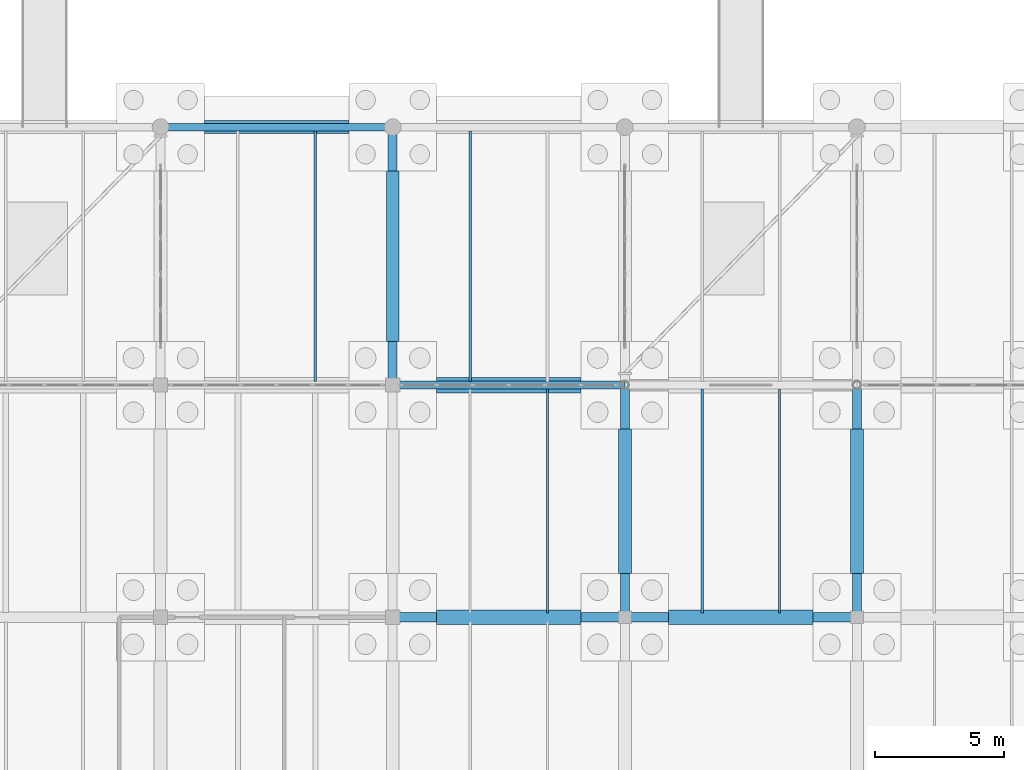
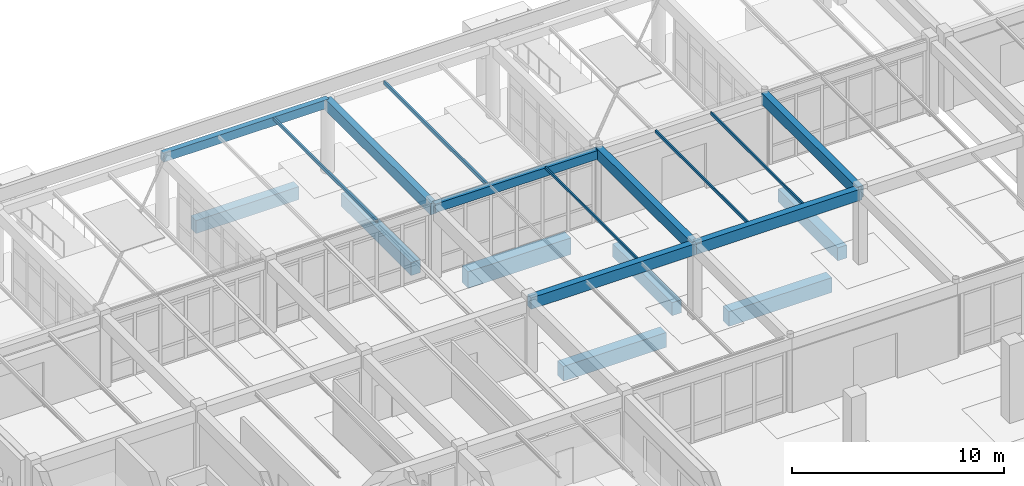
# One storey, part 71 of 186: 19 beams.
"""IFC4 building model written with IfcOpenShell, lengths in metres."""

from ifc_helpers import new_model, si_unit, direction, frame, origin, origin_2d, place, context, subcontext, project, spatial, rectangle, hollow_rectangle, extrude, material, material_profile, profile_set, type_object, element, save


model = new_model("IFC4")

# Units and contexts
model_context = context("Model", 3, precision=1e-05, world=origin(), true_north=direction((0.0, 1.0)))
body_context = subcontext(model_context, "Body", "Model", "MODEL_VIEW")
ifc_project = project(units=[si_unit("LENGTHUNIT", "METRE"), si_unit("AREAUNIT", "SQUARE_METRE"), si_unit("VOLUMEUNIT", "CUBIC_METRE"), si_unit("PLANEANGLEUNIT", "RADIAN"), si_unit("MASSUNIT", "GRAM", prefix="KILO")], contexts=[model_context])

# Site, building, storey
site_placement = place(None, origin())
site = spatial("IfcSite", under=ifc_project, at=site_placement, CompositionType="ELEMENT")
building_placement = place(site_placement, origin())
building = spatial("IfcBuilding", under=site, at=building_placement, Name="Ornek Quay Market", CompositionType="ELEMENT")
storey_placement = place(building_placement, origin())
storey = spatial("IfcBuildingStorey", under=building, at=storey_placement, Name="L00", CompositionType="ELEMENT", Elevation=0.0)

# Beams
ifc_material_1 = material(Name="Concrete C35/45", Category="concrete")
ifc_material_profile_1 = material_profile(ifc_material_1, rectangle(XDim=0.35009765625, YDim=0.64990234375, at=origin_2d()), Name="RC 350x650", Category="concrete")
ifc_profile_set_1 = profile_set([ifc_material_profile_1], Name="Concrete C35/45")
beam_type_1 = type_object("IfcBeamType", Name="BM-CONC-350x650", PredefinedType="BEAM", material=ifc_profile_set_1)
beam_1_placement = place(storey_placement, frame((27.0, 110.0, 3.864990234375), z_axis=(0.0, 1.0, 0.0), x_axis=(-1.0, 0.0, 0.0)))
element("IfcBeam", 1, at=beam_1_placement, inside=storey, type_object=beam_type_1, Name="Primary beam B-CN1-004", PredefinedType="BEAM", context=body_context, shape_type="SweptSolid", body=[
    extrude(rectangle(XDim=0.35009765625, YDim=0.64990234375, at=origin_2d()), origin(), (0.0, 0.0, 1.0), 10.0),
])
for number, where, z_axis, x_axis, name in (
    (2, (27.0, 101.0, 3.945068359375), (1.0, 0.0, 0.0), (0.0, 1.0, 0.0), "Primary beam B-CN1-055"),
    (3, (36.0, 101.0, 3.945068359375), (1.0, 0.0, 0.0), (0.0, 1.0, 0.0), "Primary beam B-CN1-056"),
    (4, (36.0, 101.0, 3.945068359375), (0.0, 1.0, 0.0), (-1.0, 0.0, 0.0), "Primary beam B-CN1-059"),
    (5, (45.0, 101.0, 3.945068359375), (0.0, 1.0, 0.0), (-1.0, 0.0, 0.0), "Primary beam B-CN1-061"),
):
    element("IfcBeam", number, at=place(storey_placement, frame(where, z_axis=z_axis, x_axis=x_axis)), inside=storey, type_object=beam_type_1, Name=name, PredefinedType="BEAM", context=body_context, shape_type="SweptSolid", body=[
        extrude(rectangle(XDim=0.35009765625, YDim=0.64990234375, at=origin_2d()), origin(), (0.0, 0.0, 1.0), 9.0),
    ])
ifc_material_profile_2 = material_profile(ifc_material_1, rectangle(XDim=0.5, YDim=0.75, at=origin_2d()), Name="RC 500x750", Category="concrete")
ifc_profile_set_2 = profile_set([ifc_material_profile_2], Name="Concrete C35/45")
beam_type_2 = type_object("IfcBeamType", Name="BM-GB-500x750", PredefinedType="BEAM", material=ifc_profile_set_2)
beam_2_placement = place(storey_placement, frame((19.699951171875, 120.0, -0.574951171875), z_axis=(1.0, 0.0, 0.0), x_axis=(0.0, 1.0, 0.0)))
element("IfcBeam", 6, at=beam_2_placement, inside=storey, type_object=beam_type_2, Name="Ground tie beam GB-050", PredefinedType="BEAM", context=body_context, shape_type="SweptSolid", body=[
    extrude(rectangle(XDim=0.5, YDim=0.75, at=origin_2d()), origin(), (0.0, 0.0, 1.0), 5.60009765625),
])
beam_3_placement = place(storey_placement, frame((27.0, 111.699951171875, -0.574951171875), z_axis=(0.0, 1.0, 0.0), x_axis=(-1.0, 0.0, 0.0)))
element("IfcBeam", 7, at=beam_3_placement, inside=storey, type_object=beam_type_2, Name="Ground tie beam GB-087", PredefinedType="BEAM", context=body_context, shape_type="SweptSolid", body=[
    extrude(rectangle(XDim=0.5, YDim=0.75, at=origin_2d()), origin(), (0.0, 0.0, 1.0), 6.60009765625),
])
for number, where, z_axis, x_axis, name in (
    (8, (36.0, 102.699951171875, -0.574951171875), (0.0, 1.0, 0.0), (-1.0, 0.0, 0.0), "Ground tie beam GB-091"),
    (9, (45.0, 102.699951171875, -0.574951171875), (0.0, 1.0, 0.0), (-1.0, 0.0, 0.0), "Ground tie beam GB-108"),
):
    element("IfcBeam", number, at=place(storey_placement, frame(where, z_axis=z_axis, x_axis=x_axis)), inside=storey, type_object=beam_type_2, Name=name, PredefinedType="BEAM", context=body_context, shape_type="SweptSolid", body=[
        extrude(rectangle(XDim=0.5, YDim=0.75, at=origin_2d()), origin(), (0.0, 0.0, 1.0), 5.60009765625),
    ])
ifc_material_profile_3 = material_profile(ifc_material_1, rectangle(XDim=0.550048828125, YDim=0.85009765625, at=origin_2d()), Name="RC 550x850", Category="concrete")
ifc_profile_set_3 = profile_set([ifc_material_profile_3], Name="Concrete C35/45")
beam_type_3 = type_object("IfcBeamType", Name="BM-GB-550x850", PredefinedType="BEAM", material=ifc_profile_set_3)
for number, where, z_axis, x_axis, name in (
    (10, (28.699951171875, 101.0, -0.625), (1.0, 0.0, 0.0), (0.0, 1.0, 0.0), "Ground tie beam GB-039"),
    (11, (37.699951171875, 101.0, -0.625), (1.0, 0.0, 0.0), (0.0, 1.0, 0.0), "Ground tie beam GB-040"),
):
    element("IfcBeam", number, at=place(storey_placement, frame(where, z_axis=z_axis, x_axis=x_axis)), inside=storey, type_object=beam_type_3, Name=name, PredefinedType="BEAM", context=body_context, shape_type="SweptSolid", body=[
        extrude(rectangle(XDim=0.550048828125, YDim=0.85009765625, at=origin_2d()), origin(), (0.0, 0.0, 1.0), 5.60009765625),
    ])
ifc_material_profile_4 = material_profile(ifc_material_1, rectangle(XDim=0.60009765625, YDim=0.949951171875, at=origin_2d()), Name="RC 600x950", Category="concrete")
ifc_profile_set_4 = profile_set([ifc_material_profile_4], Name="Concrete C35/45")
beam_type_4 = type_object("IfcBeamType", Name="BM-GB-600x950", PredefinedType="BEAM", material=ifc_profile_set_4)
beam_4_placement = place(storey_placement, frame((28.699951171875, 110.0, -0.675048828125), z_axis=(1.0, 0.0, 0.0), x_axis=(0.0, 1.0, 0.0)))
element("IfcBeam", 12, at=beam_4_placement, inside=storey, type_object=beam_type_4, Name="Ground tie beam GB-045", PredefinedType="BEAM", context=body_context, shape_type="SweptSolid", body=[
    extrude(rectangle(XDim=0.60009765625, YDim=0.949951171875, at=origin_2d()), origin(), (0.0, 0.0, 1.0), 5.60009765625),
])
ifc_material_2 = material(Name="Steel S355", Category="steel")
ifc_material_profile_5 = material_profile(ifc_material_2, hollow_rectangle(XDim=0.080078125, YDim=0.139892578125, WallThickness=0.006103515625, at=origin_2d()), Name="RHS 140x80x6", Category="steel")
ifc_profile_set_5 = profile_set([ifc_material_profile_5], Name="Steel S355")
beam_type_5 = type_object("IfcBeamType", Name="BM-RHS-RHS140x80x6", PredefinedType="BEAM", material=ifc_profile_set_5)
beam_5_placement = place(storey_placement, frame((33.0, 101.1669921875, 4.199951171875), z_axis=(0.0, 1.0, 0.0), x_axis=(-1.0, 0.0, 0.0)))
element("IfcBeam", 13, at=beam_5_placement, inside=storey, type_object=beam_type_5, Name="Secondary joist SR-01-002", PredefinedType="BEAM", context=body_context, shape_type="SweptSolid", body=[
    extrude(hollow_rectangle(XDim=0.080078125, YDim=0.139892578125, WallThickness=0.006103515625, at=origin_2d()), origin(), (0.0, 0.0, 1.0), 8.69091796875),
])
ifc_material_profile_6 = material_profile(ifc_material_2, hollow_rectangle(XDim=0.080078125, YDim=0.159912109375, WallThickness=0.008056640625, at=origin_2d()), Name="RHS 160x80x8", Category="steel")
ifc_profile_set_6 = profile_set([ifc_material_profile_6], Name="Steel S355")
beam_type_6 = type_object("IfcBeamType", Name="BM-RHS-RHS160x80x8", PredefinedType="BEAM", material=ifc_profile_set_6)
for number, where, z_axis, x_axis, name in (
    (14, (39.0, 101.1669921875, 4.18994140625), (0.0, 1.0, 0.0), (-1.0, 0.0, 0.0), "Secondary joist SR-02-001"),
    (15, (42.0, 101.1669921875, 4.18994140625), (0.0, 1.0, 0.0), (-1.0, 0.0, 0.0), "Secondary joist SR-02-002"),
):
    element("IfcBeam", number, at=place(storey_placement, frame(where, z_axis=z_axis, x_axis=x_axis)), inside=storey, type_object=beam_type_6, Name=name, PredefinedType="BEAM", context=body_context, shape_type="SweptSolid", body=[
        extrude(hollow_rectangle(XDim=0.080078125, YDim=0.159912109375, WallThickness=0.008056640625, at=origin_2d()), origin(), (0.0, 0.0, 1.0), 8.69091796875),
    ])
ifc_material_profile_7 = material_profile(ifc_material_2, hollow_rectangle(XDim=0.10009765625, YDim=0.179931640625, WallThickness=0.008056640625, at=origin_2d()), Name="RHS 180x100x8", Category="steel")
ifc_profile_set_7 = profile_set([ifc_material_profile_7], Name="Steel S355")
beam_type_7 = type_object("IfcBeamType", Name="BM-RHS-RHS180x100x8", PredefinedType="BEAM", material=ifc_profile_set_7)
beam_6_placement = place(storey_placement, frame((24.0, 110.14208984375, 4.10009765625), z_axis=(0.0, 1.0, 0.0), x_axis=(-1.0, 0.0, 0.0)))
element("IfcBeam", 16, at=beam_6_placement, inside=storey, type_object=beam_type_7, Name="Secondary joist SR-03-002", PredefinedType="BEAM", context=body_context, shape_type="SweptSolid", body=[
    extrude(hollow_rectangle(XDim=0.10009765625, YDim=0.179931640625, WallThickness=0.008056640625, at=origin_2d()), origin(), (0.0, 0.0, 1.0), 9.7158203125),
])
ifc_material_profile_8 = material_profile(ifc_material_2, hollow_rectangle(XDim=0.10009765625, YDim=0.199951171875, WallThickness=0.010009765625, at=origin_2d()), Name="RHS 200x100x10", Category="steel")
ifc_profile_set_8 = profile_set([ifc_material_profile_8], Name="Steel S355")
beam_type_8 = type_object("IfcBeamType", Name="BM-RHS-RHS200x100x10", PredefinedType="BEAM", material=ifc_profile_set_8)
beam_7_placement = place(storey_placement, frame((30.0, 110.14208984375, 4.090087890625), z_axis=(0.0, 1.0, 0.0), x_axis=(-1.0, 0.0, 0.0)))
element("IfcBeam", 17, at=beam_7_placement, inside=storey, type_object=beam_type_8, Name="Secondary joist SR-04-001", PredefinedType="BEAM", context=body_context, shape_type="SweptSolid", body=[
    extrude(hollow_rectangle(XDim=0.10009765625, YDim=0.199951171875, WallThickness=0.010009765625, at=origin_2d()), origin(), (0.0, 0.0, 1.0), 9.7158203125),
])
ifc_material_3 = material(Name="Concrete C40/50", Category="concrete")
ifc_material_profile_9 = material_profile(ifc_material_3, rectangle(XDim=0.300048828125, YDim=0.5, at=origin_2d()), Name="RC 300x500", Category="concrete")
ifc_profile_set_9 = profile_set([ifc_material_profile_9], Name="Concrete C40/50")
beam_type_9 = type_object("IfcBeamType", Name="BM-UMB-RIM-300x500", PredefinedType="SPANDREL", material=ifc_profile_set_9)
for number, where, z_axis, x_axis, name in (
    (18, (27.0, 110.0, 3.93994140625), (1.0, 0.0, 0.0), (0.0, 1.0, 0.0), "Primary beam B-UMR-004"),
    (19, (18.0, 120.0, 3.93994140625), (1.0, 0.0, 0.0), (0.0, 1.0, 0.0), "Primary beam B-UMR-009"),
):
    element("IfcBeam", number, at=place(storey_placement, frame(where, z_axis=z_axis, x_axis=x_axis)), inside=storey, type_object=beam_type_9, Name=name, PredefinedType="SPANDREL", context=body_context, shape_type="SweptSolid", body=[
        extrude(rectangle(XDim=0.300048828125, YDim=0.5, at=origin_2d()), origin(), (0.0, 0.0, 1.0), 9.0),
    ])

save(model, "model.ifc")
